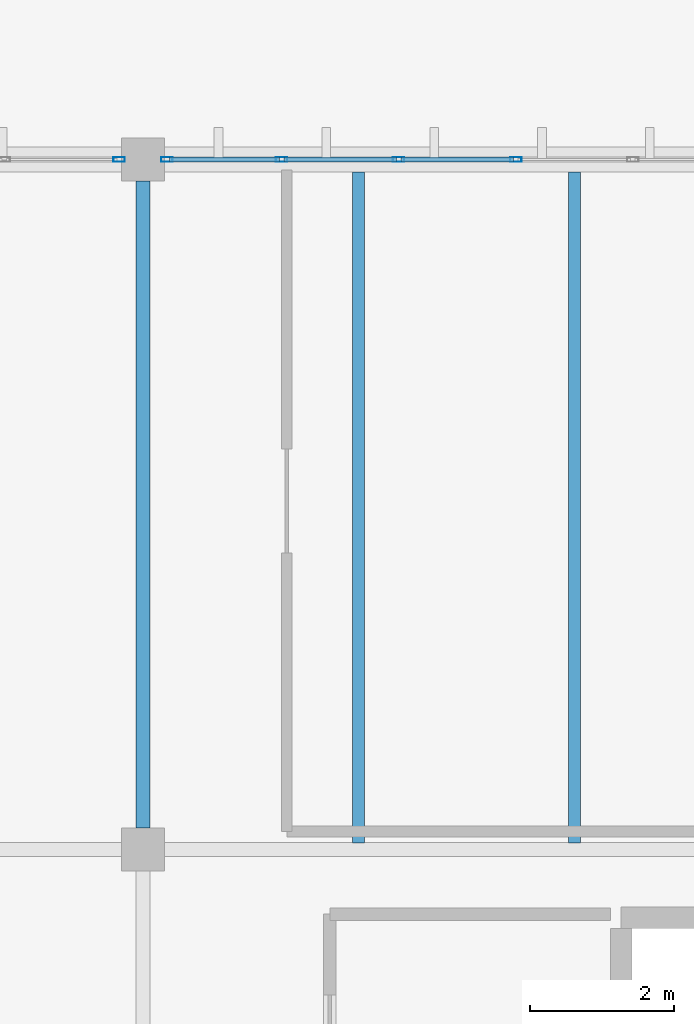
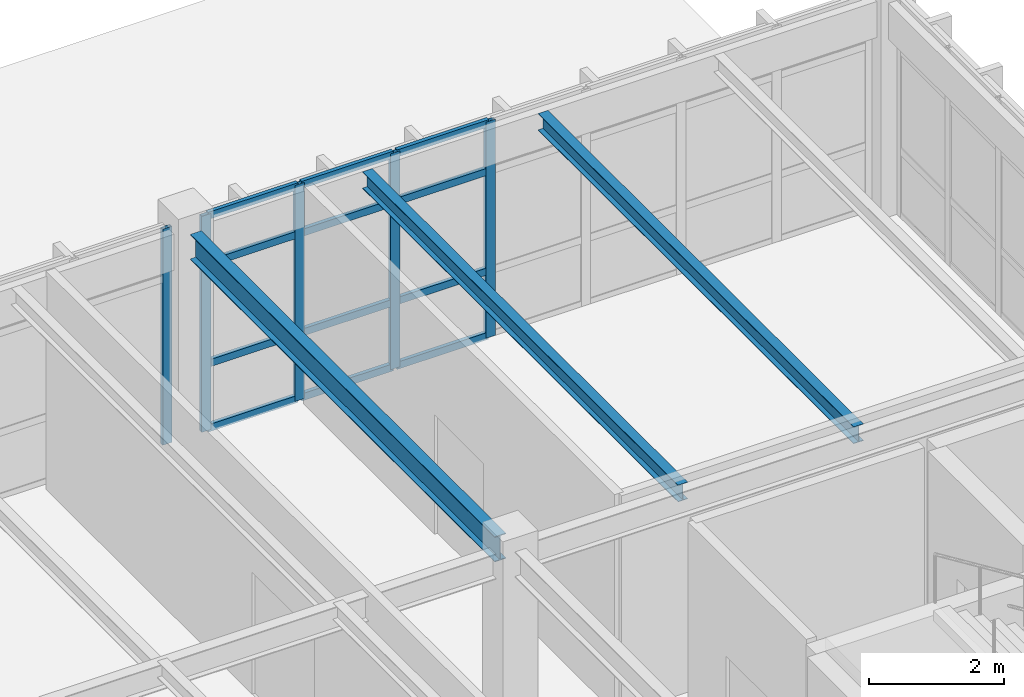
# One storey, part 55 of 83: 17 members, 3 beams, 2 elements without a shape of their own.
"""IFC4 building model written with IfcOpenShell, lengths in metres."""

from ifc_helpers import new_model, si_unit, direction, frame, origin, origin_2d, place, context, subcontext, project, spatial, hollow_rectangle, i_section, extrude, material, layer, layer_set, material_profile, profile_set, type_object, element, aggregate, save


model = new_model("IFC4")

# Units and contexts
model_context = context("Model", 3, precision=1e-05, world=origin(), true_north=direction((0.0, 1.0)))
body_context = subcontext(model_context, "Body", "Model", "MODEL_VIEW")
ifc_project = project(units=[si_unit("LENGTHUNIT", "METRE"), si_unit("AREAUNIT", "SQUARE_METRE"), si_unit("VOLUMEUNIT", "CUBIC_METRE"), si_unit("PLANEANGLEUNIT", "RADIAN"), si_unit("MASSUNIT", "GRAM", prefix="KILO")], contexts=[model_context])

# Site, building, storey
site_placement = place(None, origin())
site = spatial("IfcSite", under=ifc_project, at=site_placement, CompositionType="ELEMENT")
building_placement = place(site_placement, origin())
building = spatial("IfcBuilding", under=site, at=building_placement, Name="Pandanus Reach Market Hall", CompositionType="ELEMENT")
storey_placement = place(building_placement, frame((0.0, 0.0, 10.199951171875)))
storey = spatial("IfcBuildingStorey", under=building, at=storey_placement, Name="L02", CompositionType="ELEMENT", Elevation=10.199951171875)

# Beam
ifc_material_1 = material(Name="Steel Grade 350 (350 MPa)", Category="steel")
ifc_material_profile_1 = material_profile(ifc_material_1, i_section(OverallWidth=0.18994140625, OverallDepth=0.45703125, WebThickness=0.009033203125, FlangeThickness=0.014404296875, at=origin_2d()), Name="460UB74.6", Category="LoadBearing")
ifc_profile_set_1 = profile_set([ifc_material_profile_1], Name="Steel Grade 350 (350 MPa)")
beam_type_1 = type_object("IfcBeamType", Name="BM-UB460-I", PredefinedType="BEAM", material=ifc_profile_set_1)
beam_placement = place(storey_placement, frame((168.0, 77.097900390625, 3.631103515625), z_axis=(0.0, 1.0, 0.0), x_axis=(-1.0, 0.0, 0.0)))
element("IfcBeam", 1, at=beam_placement, inside=storey, type_object=beam_type_1, Name="Framing beam BM-UB460-I L02.481", PredefinedType="BEAM", context=body_context, shape_type="SweptSolid", body=[
    extrude(i_section(OverallWidth=0.18994140625, OverallDepth=0.45703125, WebThickness=0.009033203125, FlangeThickness=0.014404296875, at=origin_2d()), origin(), (0.0, 0.0, 1.0), 9.004150390625),
])

# Curtain wall, member
ifc_material_2 = material(Name="Bronze anodised aluminium and low-E glass", Category="aluminium")
ifc_layer = layer(ifc_material_2, 0.159912109375, Name="CW-31")
ifc_layer_set = layer_set([ifc_layer], Name="Bronze anodised aluminium and low-E glass")
curtain_wall_type = type_object("IfcCurtainWallType", Name="CW-31", PredefinedType="NOTDEFINED", material=ifc_layer_set)
curtain_wall_1_placement = place(storey_placement, origin())
curtain_wall_1 = element("IfcCurtainWall", 2, at=curtain_wall_1_placement, inside=storey, type_object=curtain_wall_type, Name="Glazed curtain wall CW-31 CW-0103", PredefinedType="NOTDEFINED")
ifc_material_3 = material(Name="Bronze anodised aluminium", Category="aluminium")
ifc_material_profile_2 = material_profile(ifc_material_3, hollow_rectangle(XDim=0.06494140625, YDim=0.159912109375, WallThickness=0.00390625, at=origin_2d()), Name="ALU65x160", Category="LoadBearing")
ifc_profile_set_2 = profile_set([ifc_material_profile_2], Name="Bronze anodised aluminium")
member_type_1 = type_object("IfcMemberType", Name="CW-M1", PredefinedType="MULLION", material=ifc_profile_set_2)
member_1_placement = place(storey_placement, frame((167.66748046875, 86.39990234375, 0.0), z_axis=(0.0, 0.0, 1.0), x_axis=(0.0, 1.0, 0.0)))
member_1 = element("IfcMember", 3, at=member_1_placement, type_object=member_type_1, Name="CW-31 mullion 8", PredefinedType="MULLION", context=body_context, shape_type="SweptSolid", body=[
    extrude(hollow_rectangle(XDim=0.06494140625, YDim=0.159912109375, WallThickness=0.00390625, at=origin_2d()), origin(), (0.0, 0.0, 1.0), 3.900146484375),
])
aggregate(curtain_wall_1, [member_1])

# Curtain wall, members
curtain_wall_2_placement = place(storey_placement, origin())
curtain_wall_2 = element("IfcCurtainWall", 4, at=curtain_wall_2_placement, inside=storey, type_object=curtain_wall_type, Name="Glazed curtain wall CW-31 CW-0104", PredefinedType="NOTDEFINED")
member_2_placement = place(storey_placement, frame((168.33251953125, 86.39990234375, 0.0), z_axis=(0.0, 0.0, 1.0), x_axis=(0.0, 1.0, 0.0)))
member_2 = element("IfcMember", 5, at=member_2_placement, type_object=member_type_1, Name="CW-31 mullion 1", PredefinedType="MULLION", context=body_context, shape_type="SweptSolid", body=[
    extrude(hollow_rectangle(XDim=0.06494140625, YDim=0.159912109375, WallThickness=0.00390625, at=origin_2d()), origin(), (0.0, 0.0, 1.0), 3.900146484375),
])
member_3_placement = place(storey_placement, frame((169.928466796875, 86.39990234375, 0.0), z_axis=(0.0, 0.0, 1.0), x_axis=(0.0, 1.0, 0.0)))
member_3 = element("IfcMember", 6, at=member_3_placement, type_object=member_type_1, Name="CW-31 mullion 2", PredefinedType="MULLION", context=body_context, shape_type="SweptSolid", body=[
    extrude(hollow_rectangle(XDim=0.06494140625, YDim=0.159912109375, WallThickness=0.00390625, at=origin_2d()), origin(), (0.0, 0.0, 1.0), 3.900146484375),
])
member_4_placement = place(storey_placement, frame((171.55712890625, 86.39990234375, 0.0), z_axis=(0.0, 0.0, 1.0), x_axis=(0.0, 1.0, 0.0)))
member_4 = element("IfcMember", 7, at=member_4_placement, type_object=member_type_1, Name="CW-31 mullion 3", PredefinedType="MULLION", context=body_context, shape_type="SweptSolid", body=[
    extrude(hollow_rectangle(XDim=0.06494140625, YDim=0.159912109375, WallThickness=0.00390625, at=origin_2d()), origin(), (0.0, 0.0, 1.0), 3.900146484375),
])
member_5_placement = place(storey_placement, frame((173.185791015625, 86.39990234375, 0.0), z_axis=(0.0, 0.0, 1.0), x_axis=(0.0, 1.0, 0.0)))
member_5 = element("IfcMember", 8, at=member_5_placement, type_object=member_type_1, Name="CW-31 mullion 4", PredefinedType="MULLION", context=body_context, shape_type="SweptSolid", body=[
    extrude(hollow_rectangle(XDim=0.06494140625, YDim=0.159912109375, WallThickness=0.00390625, at=origin_2d()), origin(), (0.0, 0.0, 1.0), 3.900146484375),
])
ifc_material_profile_3 = material_profile(ifc_material_3, hollow_rectangle(XDim=0.06494140625, YDim=0.1298828125, WallThickness=0.00390625, at=origin_2d()), Name="ALU65x130", Category="LoadBearing")
ifc_profile_set_3 = profile_set([ifc_material_profile_3], Name="Bronze anodised aluminium")
member_type_2 = type_object("IfcMemberType", Name="CW-T1", PredefinedType="USERDEFINED", material=ifc_profile_set_3)
member_6_placement = place(storey_placement, frame((168.364990234375, 86.39990234375, 0.032470703125), z_axis=(1.0, 0.0, 0.0), x_axis=(0.0, 1.0, 0.0)))
member_6 = element("IfcMember", 9, at=member_6_placement, type_object=member_type_2, Name="CW-31 transom 1.1", ObjectType="TRANSOM", PredefinedType="USERDEFINED", context=body_context, shape_type="SweptSolid", body=[
    extrude(hollow_rectangle(XDim=0.06494140625, YDim=0.1298828125, WallThickness=0.00390625, at=origin_2d()), origin(), (0.0, 0.0, 1.0), 1.531005859375),
])
member_7_placement = place(storey_placement, frame((168.364990234375, 86.39990234375, 1.199951171875), z_axis=(1.0, 0.0, 0.0), x_axis=(0.0, 1.0, 0.0)))
member_7 = element("IfcMember", 10, at=member_7_placement, type_object=member_type_2, Name="CW-31 transom 1.2", ObjectType="TRANSOM", PredefinedType="USERDEFINED", context=body_context, shape_type="SweptSolid", body=[
    extrude(hollow_rectangle(XDim=0.06494140625, YDim=0.1298828125, WallThickness=0.00390625, at=origin_2d()), origin(), (0.0, 0.0, 1.0), 1.531005859375),
])
member_8_placement = place(storey_placement, frame((168.364990234375, 86.39990234375, 3.0), z_axis=(1.0, 0.0, 0.0), x_axis=(0.0, 1.0, 0.0)))
member_8 = element("IfcMember", 11, at=member_8_placement, type_object=member_type_2, Name="CW-31 transom 1.3", ObjectType="TRANSOM", PredefinedType="USERDEFINED", context=body_context, shape_type="SweptSolid", body=[
    extrude(hollow_rectangle(XDim=0.06494140625, YDim=0.1298828125, WallThickness=0.00390625, at=origin_2d()), origin(), (0.0, 0.0, 1.0), 1.531005859375),
])
member_9_placement = place(storey_placement, frame((168.364990234375, 86.39990234375, 3.867431640625), z_axis=(1.0, 0.0, 0.0), x_axis=(0.0, 1.0, 0.0)))
member_9 = element("IfcMember", 12, at=member_9_placement, type_object=member_type_2, Name="CW-31 transom 1.4", ObjectType="TRANSOM", PredefinedType="USERDEFINED", context=body_context, shape_type="SweptSolid", body=[
    extrude(hollow_rectangle(XDim=0.06494140625, YDim=0.1298828125, WallThickness=0.00390625, at=origin_2d()), origin(), (0.0, 0.0, 1.0), 1.531005859375),
])
member_10_placement = place(storey_placement, frame((169.961181640625, 86.39990234375, 0.032470703125), z_axis=(1.0, 0.0, 0.0), x_axis=(0.0, 1.0, 0.0)))
member_10 = element("IfcMember", 13, at=member_10_placement, type_object=member_type_2, Name="CW-31 transom 2.1", ObjectType="TRANSOM", PredefinedType="USERDEFINED", context=body_context, shape_type="SweptSolid", body=[
    extrude(hollow_rectangle(XDim=0.06494140625, YDim=0.1298828125, WallThickness=0.00390625, at=origin_2d()), origin(), (0.0, 0.0, 1.0), 1.5634765625),
])
member_11_placement = place(storey_placement, frame((169.961181640625, 86.39990234375, 1.199951171875), z_axis=(1.0, 0.0, 0.0), x_axis=(0.0, 1.0, 0.0)))
member_11 = element("IfcMember", 14, at=member_11_placement, type_object=member_type_2, Name="CW-31 transom 2.2", ObjectType="TRANSOM", PredefinedType="USERDEFINED", context=body_context, shape_type="SweptSolid", body=[
    extrude(hollow_rectangle(XDim=0.06494140625, YDim=0.1298828125, WallThickness=0.00390625, at=origin_2d()), origin(), (0.0, 0.0, 1.0), 1.5634765625),
])
member_12_placement = place(storey_placement, frame((169.961181640625, 86.39990234375, 3.0), z_axis=(1.0, 0.0, 0.0), x_axis=(0.0, 1.0, 0.0)))
member_12 = element("IfcMember", 15, at=member_12_placement, type_object=member_type_2, Name="CW-31 transom 2.3", ObjectType="TRANSOM", PredefinedType="USERDEFINED", context=body_context, shape_type="SweptSolid", body=[
    extrude(hollow_rectangle(XDim=0.06494140625, YDim=0.1298828125, WallThickness=0.00390625, at=origin_2d()), origin(), (0.0, 0.0, 1.0), 1.5634765625),
])
member_13_placement = place(storey_placement, frame((169.961181640625, 86.39990234375, 3.867431640625), z_axis=(1.0, 0.0, 0.0), x_axis=(0.0, 1.0, 0.0)))
member_13 = element("IfcMember", 16, at=member_13_placement, type_object=member_type_2, Name="CW-31 transom 2.4", ObjectType="TRANSOM", PredefinedType="USERDEFINED", context=body_context, shape_type="SweptSolid", body=[
    extrude(hollow_rectangle(XDim=0.06494140625, YDim=0.1298828125, WallThickness=0.00390625, at=origin_2d()), origin(), (0.0, 0.0, 1.0), 1.5634765625),
])
member_14_placement = place(storey_placement, frame((171.589599609375, 86.39990234375, 0.032470703125), z_axis=(1.0, 0.0, 0.0), x_axis=(0.0, 1.0, 0.0)))
member_14 = element("IfcMember", 17, at=member_14_placement, type_object=member_type_2, Name="CW-31 transom 3.1", ObjectType="TRANSOM", PredefinedType="USERDEFINED", context=body_context, shape_type="SweptSolid", body=[
    extrude(hollow_rectangle(XDim=0.06494140625, YDim=0.1298828125, WallThickness=0.00390625, at=origin_2d()), origin(), (0.0, 0.0, 1.0), 1.563720703125),
])
member_15_placement = place(storey_placement, frame((171.589599609375, 86.39990234375, 1.199951171875), z_axis=(1.0, 0.0, 0.0), x_axis=(0.0, 1.0, 0.0)))
member_15 = element("IfcMember", 18, at=member_15_placement, type_object=member_type_2, Name="CW-31 transom 3.2", ObjectType="TRANSOM", PredefinedType="USERDEFINED", context=body_context, shape_type="SweptSolid", body=[
    extrude(hollow_rectangle(XDim=0.06494140625, YDim=0.1298828125, WallThickness=0.00390625, at=origin_2d()), origin(), (0.0, 0.0, 1.0), 1.563720703125),
])
member_16_placement = place(storey_placement, frame((171.589599609375, 86.39990234375, 3.0), z_axis=(1.0, 0.0, 0.0), x_axis=(0.0, 1.0, 0.0)))
member_16 = element("IfcMember", 19, at=member_16_placement, type_object=member_type_2, Name="CW-31 transom 3.3", ObjectType="TRANSOM", PredefinedType="USERDEFINED", context=body_context, shape_type="SweptSolid", body=[
    extrude(hollow_rectangle(XDim=0.06494140625, YDim=0.1298828125, WallThickness=0.00390625, at=origin_2d()), origin(), (0.0, 0.0, 1.0), 1.563720703125),
])
member_17_placement = place(storey_placement, frame((171.589599609375, 86.39990234375, 3.867431640625), z_axis=(1.0, 0.0, 0.0), x_axis=(0.0, 1.0, 0.0)))
member_17 = element("IfcMember", 20, at=member_17_placement, type_object=member_type_2, Name="CW-31 transom 3.4", ObjectType="TRANSOM", PredefinedType="USERDEFINED", context=body_context, shape_type="SweptSolid", body=[
    extrude(hollow_rectangle(XDim=0.06494140625, YDim=0.1298828125, WallThickness=0.00390625, at=origin_2d()), origin(), (0.0, 0.0, 1.0), 1.563720703125),
])
aggregate(curtain_wall_2, [member_2, member_3, member_4, member_5, member_6, member_7, member_8, member_9, member_10, member_11, member_12, member_13, member_14, member_15, member_16, member_17])

# Beams
ifc_material_profile_4 = material_profile(ifc_material_1, i_section(OverallWidth=0.1650390625, OverallDepth=0.303955078125, WebThickness=0.006103515625, FlangeThickness=0.01025390625, at=origin_2d()), Name="310UB40.4", Category="LoadBearing")
ifc_profile_set_4 = profile_set([ifc_material_profile_4], Name="Steel Grade 350 (350 MPa)")
beam_type_2 = type_object("IfcBeamType", Name="JS-UB310-I", PredefinedType="JOIST", material=ifc_profile_set_4)
for number, where, z_axis, x_axis, name in (
    (21, (171.0, 76.89306640625, 3.707763671875), (0.0, 1.0, 0.0), (-1.0, 0.0, 0.0), "Secondary joist JS-UB310-I L02.533"),
    (22, (174.0, 76.89306640625, 3.707763671875), (0.0, 1.0, 0.0), (-1.0, 0.0, 0.0), "Secondary joist JS-UB310-I L02.534"),
):
    element("IfcBeam", number, at=place(storey_placement, frame(where, z_axis=z_axis, x_axis=x_axis)), inside=storey, type_object=beam_type_2, Name=name, PredefinedType="JOIST", context=body_context, shape_type="SweptSolid", body=[
        extrude(i_section(OverallWidth=0.1650390625, OverallDepth=0.303955078125, WebThickness=0.006103515625, FlangeThickness=0.01025390625, at=origin_2d()), origin(), (0.0, 0.0, 1.0), 9.333984375),
    ])

save(model, "model.ifc")
